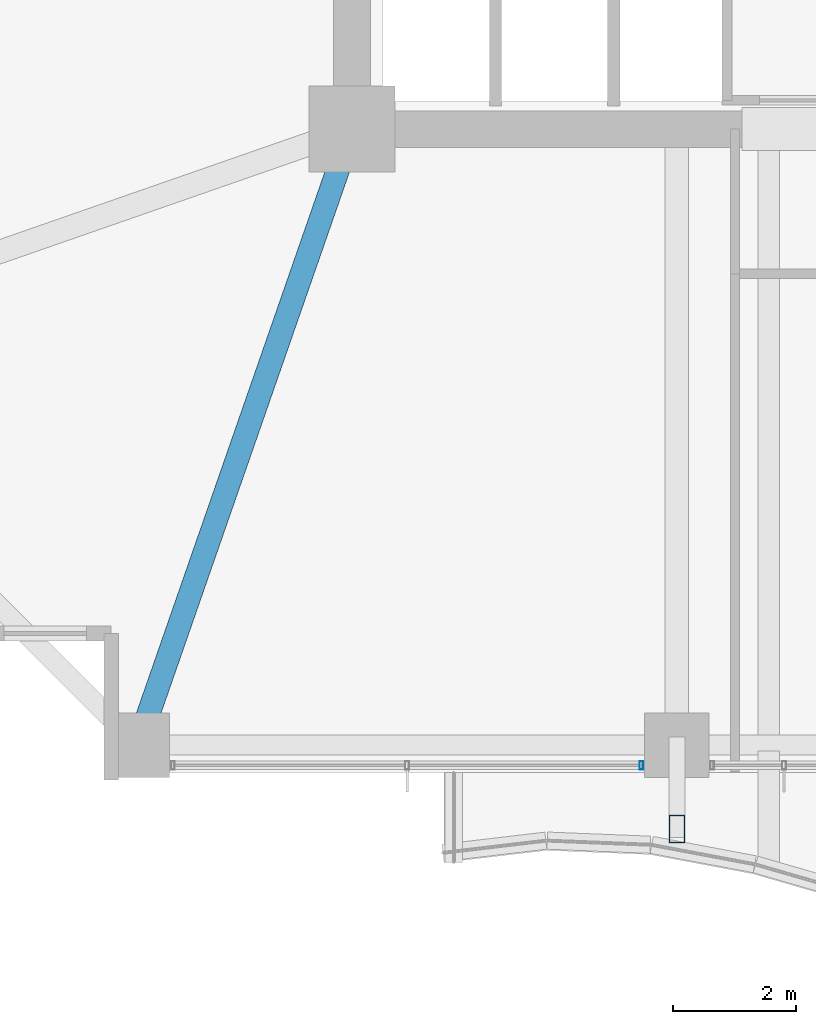
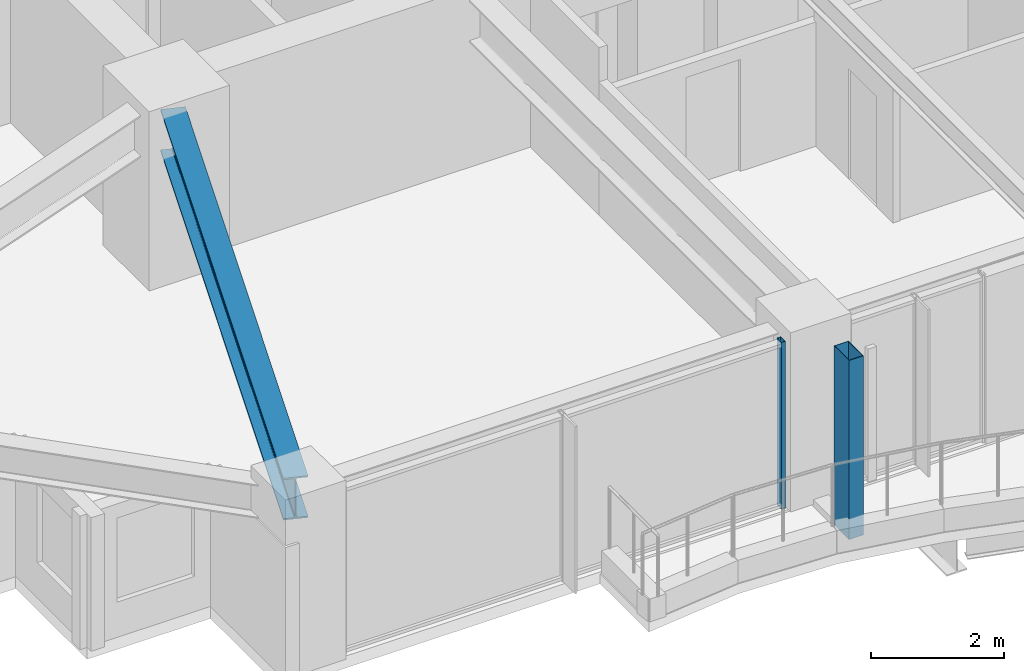
# One storey, part 4 of 38: 2 members, 1 beam, 1 element without a shape of its own.
"""IFC4 building model written with IfcOpenShell, lengths in metres."""

from ifc_helpers import new_model, si_unit, direction, frame, origin, origin_2d, place, context, subcontext, project, spatial, hollow_rectangle, i_section, extrude, material, material_profile, profile_set, type_object, element, aggregate, save


model = new_model("IFC4")

# Units and contexts
model_context = context("Model", 3, precision=1e-05, world=origin(), true_north=direction((0.0, 1.0)))
body_context = subcontext(model_context, "Body", "Model", "MODEL_VIEW")
ifc_project = project(units=[si_unit("LENGTHUNIT", "METRE"), si_unit("AREAUNIT", "SQUARE_METRE"), si_unit("VOLUMEUNIT", "CUBIC_METRE"), si_unit("PLANEANGLEUNIT", "RADIAN"), si_unit("MASSUNIT", "GRAM", prefix="KILO")], contexts=[model_context])

# Site, building, storey
site_placement = place(None, origin())
site = spatial("IfcSite", under=ifc_project, at=site_placement, CompositionType="ELEMENT")
building_placement = place(site_placement, origin())
building = spatial("IfcBuilding", under=site, at=building_placement, Name="Kolvaren Belvedere", CompositionType="ELEMENT")
storey_placement = place(building_placement, frame((0.0, 0.0, 78.800048828125)))
storey = spatial("IfcBuildingStorey", under=building, at=storey_placement, Name="L22", CompositionType="ELEMENT", Elevation=78.800048828125)

# Beam
ifc_material_1 = material(Name="Structural steel ASTM A992 Grade 50", Category="steel")
ifc_material_profile_1 = material_profile(ifc_material_1, i_section(OverallWidth=0.381103515625, OverallDepth=0.77294921875, WebThickness=0.0166015625, FlangeThickness=0.027099609375, FilletRadius=0.02392578125, at=origin_2d()), Name="W30X173")
ifc_profile_set_1 = profile_set([ifc_material_profile_1], Name="Structural steel ASTM A992 Grade 50")
beam_type = type_object("IfcBeamType", Name="BM-GIRD-W30X173", PredefinedType="BEAM", material=ifc_profile_set_1)
beam_placement = place(storey_placement, frame((-10.080810546875, -10.41943359375, 2.693359375), z_axis=(-0.328880894453, -0.944371408538, 0.0), x_axis=(0.944371408538, -0.328880894453, 0.0)))
element("IfcBeam", 1, at=beam_placement, inside=storey, type_object=beam_type, Name="L22 Corner Core-to-Perimeter Girder CC1-S1", PredefinedType="BEAM", context=body_context, shape_type="SweptSolid", body=[
    extrude(i_section(OverallWidth=0.381103515625, OverallDepth=0.77294921875, WebThickness=0.0166015625, FlangeThickness=0.027099609375, FilletRadius=0.02392578125, at=origin_2d()), origin(), (0.0, 0.0, 1.0), 9.882080078125),
])

# Curtain wall, member
ifc_material_2 = material(Name="Anodised pale-metal aluminium AA 6063-T6", Category="aluminium")
curtain_wall_type = type_object("IfcCurtainWallType", Name="CW-Z2-MID", PredefinedType="NOTDEFINED", material=ifc_material_2)
curtain_wall_placement = place(storey_placement, origin())
curtain_wall = element("IfcCurtainWall", 2, at=curtain_wall_placement, inside=storey, type_object=curtain_wall_type, Name="L22 Unitised Curtain Wall FCW-L22-S2-B2", PredefinedType="NOTDEFINED")
ifc_material_3 = material(Name="Anodised pale-metal aluminium AA 6063-T6", Category="aluminium")
ifc_material_profile_2 = material_profile(ifc_material_3, hollow_rectangle(XDim=0.06494140625, YDim=0.139892578125, WallThickness=0.00390625, at=origin_2d()), Name="ALU-MUL-140X65")
ifc_profile_set_2 = profile_set([ifc_material_profile_2], Name="Anodised pale-metal aluminium AA 6063-T6")
member_type_1 = type_object("IfcMemberType", Name="CW-MUL-140", PredefinedType="MULLION", material=ifc_profile_set_2)
member_1_placement = place(storey_placement, frame((-5.177490234375, -20.280029296875, 0.0), z_axis=(0.0, 0.0, 1.0), x_axis=(1.0, 0.0, 0.0)))
member_1 = element("IfcMember", 3, at=member_1_placement, type_object=member_type_1, Name="FCW-L22-S2-B2 Unitised Mullion 1", PredefinedType="MULLION", context=body_context, shape_type="SweptSolid", body=[
    extrude(hollow_rectangle(XDim=0.06494140625, YDim=0.139892578125, WallThickness=0.00390625, at=origin_2d()), origin(), (0.0, 0.0, 1.0), 3.079833984375),
])
aggregate(curtain_wall, [member_1])

# Member
ifc_material_4 = material(Name="Anodised pale-metal aluminium AA 6063-T6", Category="aluminium")
ifc_material_profile_3 = material_profile(ifc_material_4, hollow_rectangle(XDim=0.25, YDim=0.449951171875, WallThickness=0.008544921875, at=origin_2d()), Name="ALU-PF-450X250")
ifc_profile_set_3 = profile_set([ifc_material_profile_3], Name="Anodised pale-metal aluminium AA 6063-T6")
member_type_2 = type_object("IfcMemberType", Name="PF-FRAME-450", PredefinedType="USERDEFINED", material=ifc_profile_set_3)
member_2_placement = place(storey_placement, frame((-4.60009765625, -21.320068359375, 0.0), z_axis=(0.0, 0.0, 1.0), x_axis=(1.0, 0.0, 0.0)))
element("IfcMember", 4, at=member_2_placement, inside=storey, type_object=member_type_2, Name="L22 Outboard Picture-Frame Vertical S2", ObjectType="PICTURE FRAME FIN", PredefinedType="USERDEFINED", context=body_context, shape_type="SweptSolid", body=[
    extrude(hollow_rectangle(XDim=0.25, YDim=0.449951171875, WallThickness=0.008544921875, at=origin_2d()), origin(), (0.0, 0.0, 1.0), 3.300048828125),
])

save(model, "model.ifc")
